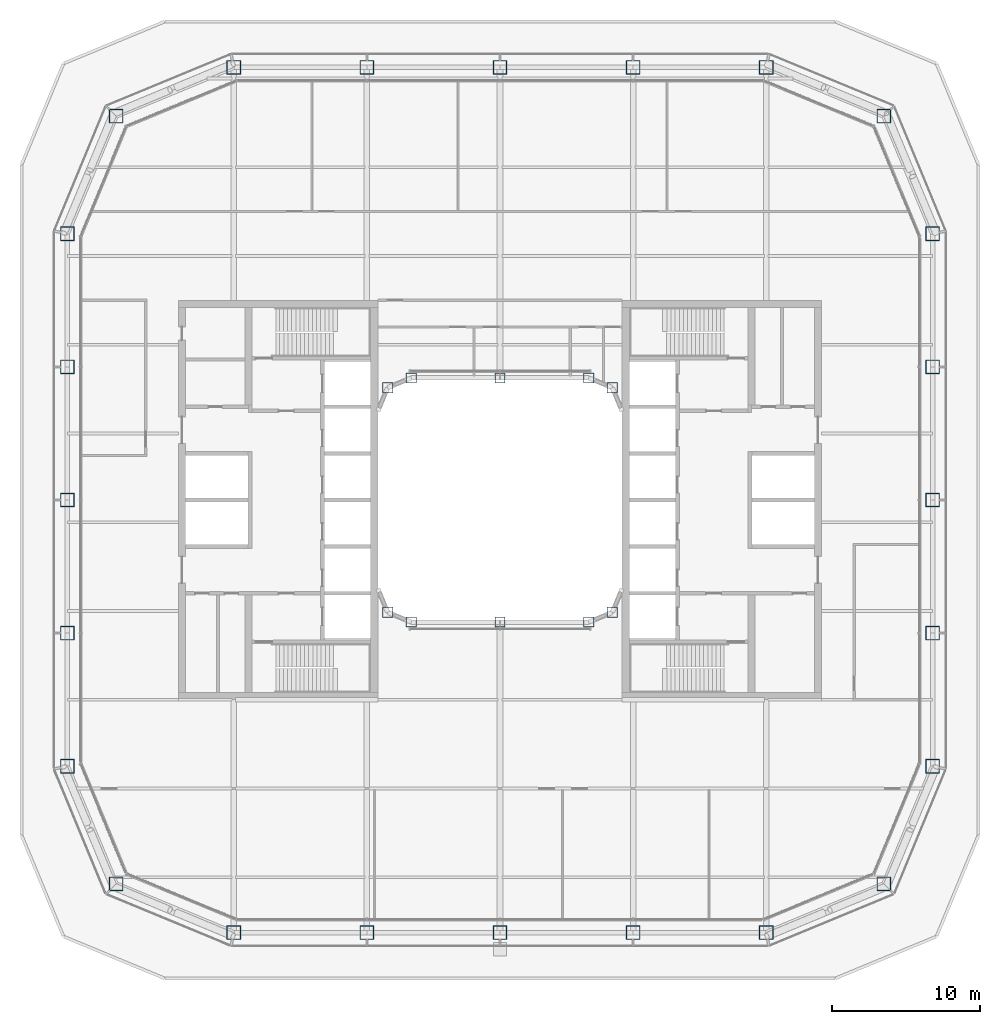
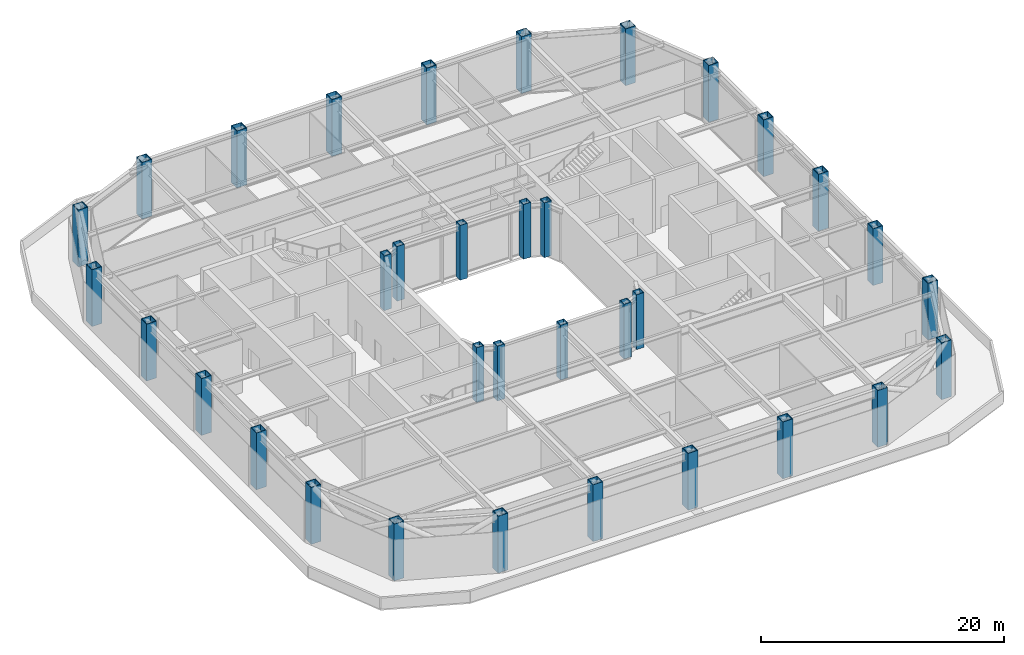
# One storey, part 1 of 21: 34 columns.
"""IFC4 building model written with IfcOpenShell, lengths in metres."""

from ifc_helpers import new_model, si_unit, direction, frame, origin, origin_2d, place, context, subcontext, project, spatial, hollow_rectangle, extrude, material, material_profile, profile_set, type_object, element, save


model = new_model("IFC4")

# Units and contexts
model_context = context("Model", 3, precision=1e-05, world=origin(), true_north=direction((0.0, 1.0)))
body_context = subcontext(model_context, "Body", "Model", "MODEL_VIEW")
ifc_project = project(units=[si_unit("LENGTHUNIT", "METRE"), si_unit("AREAUNIT", "SQUARE_METRE"), si_unit("VOLUMEUNIT", "CUBIC_METRE"), si_unit("PLANEANGLEUNIT", "RADIAN"), si_unit("MASSUNIT", "GRAM", prefix="KILO")], contexts=[model_context])

# Site, building, storey
site_placement = place(None, origin())
site = spatial("IfcSite", under=ifc_project, at=site_placement, CompositionType="ELEMENT")
building_placement = place(site_placement, origin())
building = spatial("IfcBuilding", under=site, at=building_placement, Name="Siwar Civic Tower", CompositionType="ELEMENT")
storey_placement = place(building_placement, frame((0.0, 0.0, 99.199951171875)))
storey = spatial("IfcBuildingStorey", under=building, at=storey_placement, Name="L21", CompositionType="ELEMENT", Elevation=99.199951171875)

# Columns
ifc_material_1 = material(Name="Steel S355", Category="steel")
ifc_material_profile_1 = material_profile(ifc_material_1, hollow_rectangle(XDim=0.949951171875, YDim=0.949951171875, WallThickness=0.054931640625, at=origin_2d()), Name="BOX950x950x55")
ifc_profile_set_1 = profile_set([ifc_material_profile_1], Name="Steel S355")
column_type_1 = type_object("IfcColumnType", Name="STR-COL-BOX950x950x55", PredefinedType="COLUMN", material=ifc_profile_set_1)
for number, where, z_axis, x_axis, name in (
    (1, (-18.0, -29.25, -0.199951171875), (0.0, 0.0, 1.0), (1.0, 0.0, 0.0), "L21/col/S-0"),
    (2, (-9.0, -29.25, -0.199951171875), (0.0, 0.0, 1.0), (1.0, 0.0, 0.0), "L21/col/S-1"),
    (3, (0.0, -29.25, -0.199951171875), (0.0, 0.0, 1.0), (1.0, 0.0, 0.0), "L21/col/S-2"),
    (4, (9.0, -29.25, -0.199951171875), (0.0, 0.0, 1.0), (1.0, 0.0, 0.0), "L21/col/S-3"),
    (5, (18.0, -29.25, -0.199951171875), (0.0, 0.0, 1.0), (1.0, 0.0, 0.0), "L21/col/SE1-0"),
    (6, (25.954833984375, -25.954833984375, -0.199951171875), (0.0, 0.0, 1.0), (1.0, 0.0, 0.0), "L21/col/SE2-0"),
    (7, (29.25, -18.0, -0.199951171875), (0.0, 0.0, 1.0), (1.0, 0.0, 0.0), "L21/col/E-0"),
    (8, (29.25, -9.0, -0.199951171875), (0.0, 0.0, 1.0), (1.0, 0.0, 0.0), "L21/col/E-1"),
    (9, (29.25, 0.0, -0.199951171875), (0.0, 0.0, 1.0), (1.0, 0.0, 0.0), "L21/col/E-2"),
    (10, (29.25, 9.0, -0.199951171875), (0.0, 0.0, 1.0), (1.0, 0.0, 0.0), "L21/col/E-3"),
    (11, (29.25, 18.0, -0.199951171875), (0.0, 0.0, 1.0), (1.0, 0.0, 0.0), "L21/col/NE1-0"),
    (12, (25.954833984375, 25.954833984375, -0.199951171875), (0.0, 0.0, 1.0), (1.0, 0.0, 0.0), "L21/col/NE2-0"),
    (13, (18.0, 29.25, -0.199951171875), (0.0, 0.0, 1.0), (1.0, 0.0, 0.0), "L21/col/N-0"),
    (14, (9.0, 29.25, -0.199951171875), (0.0, 0.0, 1.0), (1.0, 0.0, 0.0), "L21/col/N-1"),
    (15, (0.0, 29.25, -0.199951171875), (0.0, 0.0, 1.0), (1.0, 0.0, 0.0), "L21/col/N-2"),
    (16, (-9.0, 29.25, -0.199951171875), (0.0, 0.0, 1.0), (1.0, 0.0, 0.0), "L21/col/N-3"),
    (17, (-18.0, 29.25, -0.199951171875), (0.0, 0.0, 1.0), (1.0, 0.0, 0.0), "L21/col/NW1-0"),
    (18, (-25.954833984375, 25.954833984375, -0.199951171875), (0.0, 0.0, 1.0), (1.0, 0.0, 0.0), "L21/col/NW2-0"),
    (19, (-29.25, 18.0, -0.199951171875), (0.0, 0.0, 1.0), (1.0, 0.0, 0.0), "L21/col/W-0"),
    (20, (-29.25, 9.0, -0.199951171875), (0.0, 0.0, 1.0), (1.0, 0.0, 0.0), "L21/col/W-1"),
    (21, (-29.25, 0.0, -0.199951171875), (0.0, 0.0, 1.0), (1.0, 0.0, 0.0), "L21/col/W-2"),
    (22, (-29.25, -9.0, -0.199951171875), (0.0, 0.0, 1.0), (1.0, 0.0, 0.0), "L21/col/W-3"),
    (23, (-29.25, -18.0, -0.199951171875), (0.0, 0.0, 1.0), (1.0, 0.0, 0.0), "L21/col/SW1-0"),
    (24, (-25.954833984375, -25.954833984375, -0.199951171875), (0.0, 0.0, 1.0), (1.0, 0.0, 0.0), "L21/col/SW2-0"),
):
    element("IfcColumn", number, at=place(storey_placement, frame(where, z_axis=z_axis, x_axis=x_axis)), inside=storey, type_object=column_type_1, Name=name, PredefinedType="COLUMN", context=body_context, shape_type="SweptSolid", body=[
        extrude(hollow_rectangle(XDim=0.949951171875, YDim=0.949951171875, WallThickness=0.054931640625, at=origin_2d()), origin(), (0.0, 0.0, 1.0), 5.699951171875),
    ])
ifc_material_2 = material(Name="Steel S355", Category="steel")
ifc_material_profile_2 = material_profile(ifc_material_2, hollow_rectangle(XDim=0.699951171875, YDim=0.699951171875, WallThickness=0.0400390625, at=origin_2d()), Name="BOX700x700x40")
ifc_profile_set_2 = profile_set([ifc_material_profile_2], Name="Steel S355")
column_type_2 = type_object("IfcColumnType", Name="STR-ICOL-BOX700x700x40", PredefinedType="COLUMN", material=ifc_profile_set_2)
for number, where, z_axis, x_axis, name in (
    (25, (-7.591064453125, -7.591064453125, 0.0), (0.0, 0.0, 1.0), (1.0, 0.0, 0.0), "L21/col/IS-0"),
    (26, (-6.0, -8.25, 0.0), (0.0, 0.0, 1.0), (1.0, 0.0, 0.0), "L21/col/IS-1"),
    (27, (0.0, -8.25, 0.0), (0.0, 0.0, 1.0), (1.0, 0.0, 0.0), "L21/col/IS-2"),
    (28, (6.0, -8.25, 0.0), (0.0, 0.0, 1.0), (1.0, 0.0, 0.0), "L21/col/IS-3"),
    (29, (7.591064453125, -7.591064453125, 0.0), (0.0, 0.0, 1.0), (1.0, 0.0, 0.0), "L21/col/IS-4"),
    (30, (-7.591064453125, 7.591064453125, 0.0), (0.0, 0.0, 1.0), (1.0, 0.0, 0.0), "L21/col/IN-0"),
    (31, (-6.0, 8.25, 0.0), (0.0, 0.0, 1.0), (1.0, 0.0, 0.0), "L21/col/IN-1"),
    (32, (0.0, 8.25, 0.0), (0.0, 0.0, 1.0), (1.0, 0.0, 0.0), "L21/col/IN-2"),
    (33, (6.0, 8.25, 0.0), (0.0, 0.0, 1.0), (1.0, 0.0, 0.0), "L21/col/IN-3"),
    (34, (7.591064453125, 7.591064453125, 0.0), (0.0, 0.0, 1.0), (1.0, 0.0, 0.0), "L21/col/IN-4"),
):
    element("IfcColumn", number, at=place(storey_placement, frame(where, z_axis=z_axis, x_axis=x_axis)), inside=storey, type_object=column_type_2, Name=name, PredefinedType="COLUMN", context=body_context, shape_type="SweptSolid", body=[
        extrude(hollow_rectangle(XDim=0.699951171875, YDim=0.699951171875, WallThickness=0.0400390625, at=origin_2d()), origin(), (0.0, 0.0, 1.0), 5.5),
    ])

save(model, "model.ifc")
